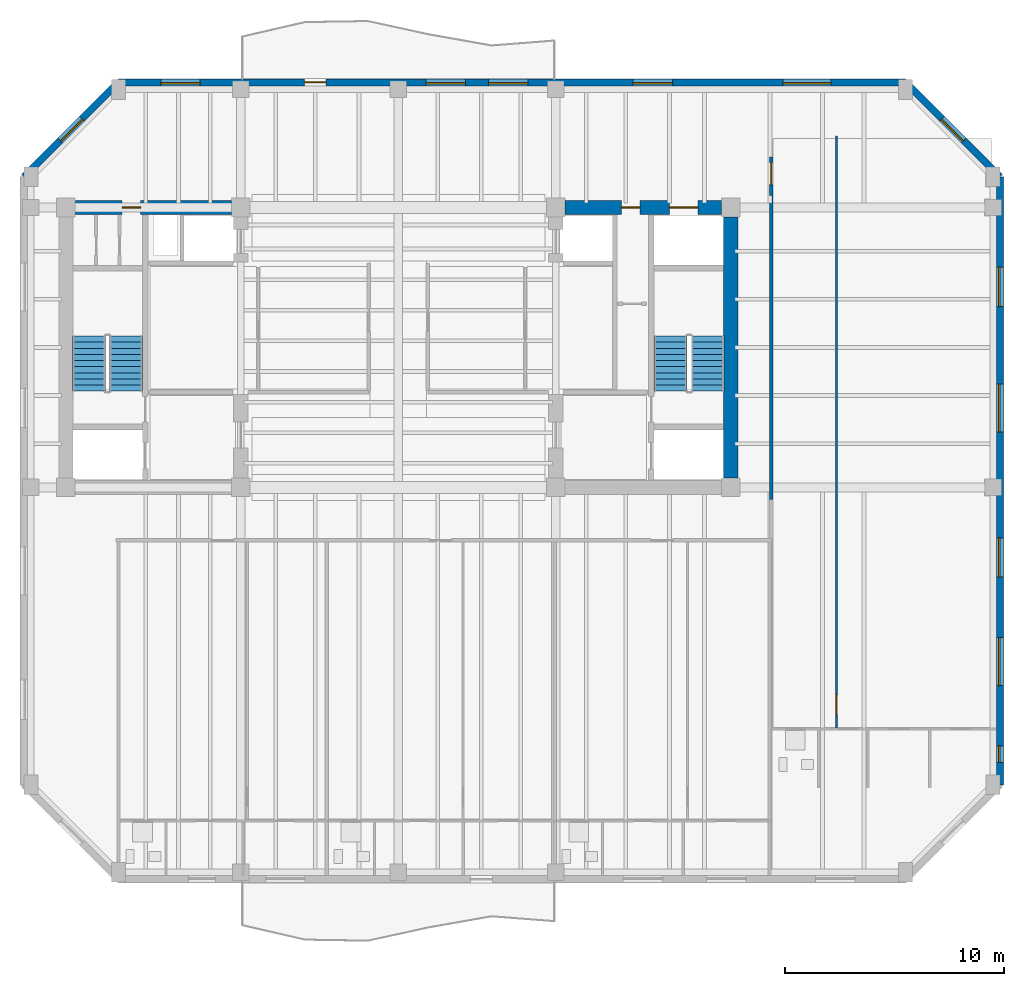
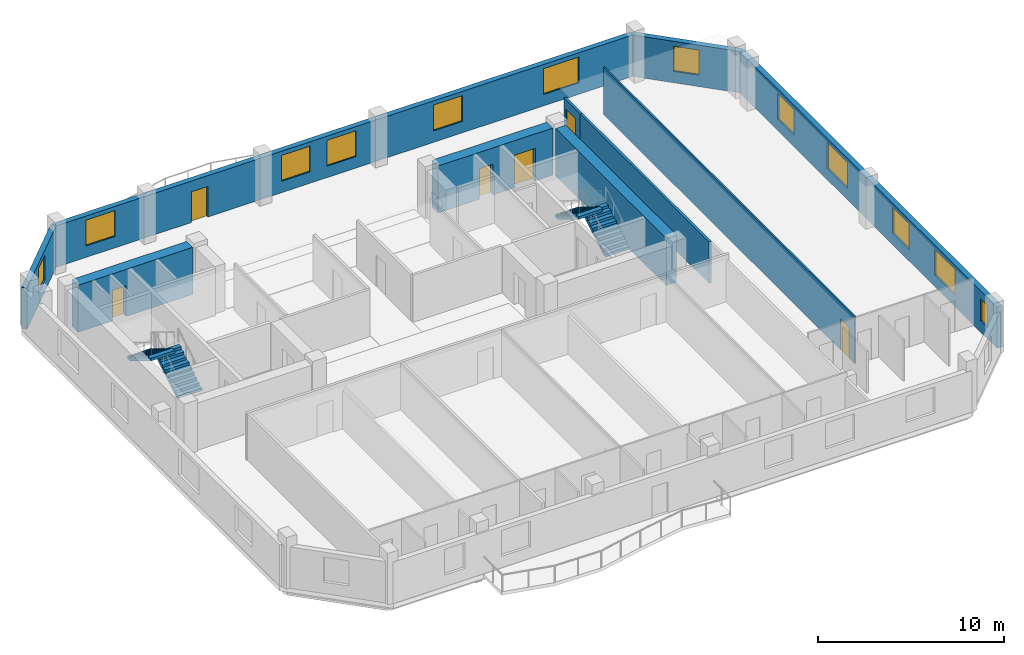
# One storey, part 5 of 9: 12 windows, 10 walls, 6 doors, 4 stair flights, 18 openings, 2 elements without a shape of their own.
"""IFC4 building model written with IfcOpenShell, lengths in metres."""

from ifc_helpers import new_model, si_unit, direction, frame, frame_2d, origin, place, context, subcontext, project, spatial, polyline, rectangle, outline, extrude, material, layer, layer_set, type_object, element, fill, aggregate, save


model = new_model("IFC4")

# Units and contexts
model_context = context("Model", 3, precision=1e-05, world=origin(), true_north=direction((0.0, 1.0)))
body_context = subcontext(model_context, "Body", "Model", "MODEL_VIEW")
ifc_project = project(units=[si_unit("LENGTHUNIT", "METRE"), si_unit("AREAUNIT", "SQUARE_METRE"), si_unit("VOLUMEUNIT", "CUBIC_METRE"), si_unit("PLANEANGLEUNIT", "RADIAN"), si_unit("MASSUNIT", "GRAM", prefix="KILO")], contexts=[model_context])

# Site, building, storey
site_placement = place(None, origin())
site = spatial("IfcSite", under=ifc_project, at=site_placement, CompositionType="ELEMENT")
building_placement = place(site_placement, origin())
building = spatial("IfcBuilding", under=site, at=building_placement, Name="Kranthara Brick Stack", CompositionType="ELEMENT")
storey_placement = place(building_placement, frame((0.0, 0.0, 231.300048828125)))
storey = spatial("IfcBuildingStorey", under=building, at=storey_placement, Name="L60", CompositionType="ELEMENT", Elevation=231.300048828125)

# Wall, opening, window
ifc_material_1 = material(Name="Warm buff clay brick masonry M15", Category="masonry")
ifc_layer_1 = layer(ifc_material_1, 0.320068359375)
ifc_layer_set_1 = layer_set([ifc_layer_1], Name="Warm buff clay brick masonry M15")
wall_type_1 = type_object("IfcWallType", Name="WL-BRK-UPPR-320", PredefinedType="STANDARD", material=ifc_layer_set_1)
wall_1_placement = place(storey_placement, frame((10.8798828125, 35.0, 0.0), z_axis=(0.0, 0.0, 1.0), x_axis=(0.707106781187, 0.707106781187, 0.0)))
wall_1 = element("IfcWall", 1, at=wall_1_placement, inside=storey, type_object=wall_type_1, Name="L60 Exterior Brick Facade Wall NW 1", PredefinedType="STANDARD", context=body_context, shape_type="SweptSolid", body=[
    extrude(rectangle(XDim=6.109619140625, YDim=0.320068359375, at=frame_2d((3.0546875, 0.0))), origin(), (0.0, 0.0, 1.0), 2.724853515625),
])
opening_1_placement = place(wall_1_placement, frame((2.35498046875, 0.0, 0.75)))
opening_1 = element("IfcOpeningElement", 2, at=opening_1_placement, cuts=wall_1, Name="Opening WN10", PredefinedType="OPENING", context=body_context, shape_type="SweptSolid", body=[
    extrude(rectangle(XDim=1.39990234375, YDim=1.64990234375, at=frame_2d((0.699951171875, 0.824951171875))), frame((0.0, 0.169921875, 0.0), z_axis=(0.0, -1.0, 0.0), x_axis=(1.0, 0.0, 0.0)), (0.0, 0.0, 1.0), 0.340087890625),
])
ifc_material_2 = material(Name="Double-glazed low-E solar control glass", Category="glass")
window_type_1 = type_object("IfcWindowType", Name="WN-CHM-1400x1750", PartitioningType="SINGLE_PANEL", PredefinedType="WINDOW", material=ifc_material_2)
window_1_placement = place(opening_1_placement, origin())
window_1 = element("IfcWindow", 3, at=window_1_placement, inside=storey, type_object=window_type_1, Name="L60 NW Chamfer Corner Window", OverallHeight=1.64990234375, OverallWidth=1.39990234375, PartitioningType="SINGLE_PANEL", PredefinedType="WINDOW", context=body_context, shape_type="SweptSolid", body=[
    extrude(rectangle(XDim=1.39990234375, YDim=1.64990234375, at=frame_2d((0.699951171875, 0.824951171875))), frame((0.0, -0.010009765625, 0.0), z_axis=(0.0, -1.0, 0.0), x_axis=(1.0, 0.0, 0.0)), (0.0, 0.0, 1.0), 0.06005859375),
])
fill(opening_1, window_1)

# Wall, openings, door, windows
wall_2_placement = place(storey_placement, frame((15.199951171875, 39.320068359375, 0.0), z_axis=(0.0, 0.0, 1.0), x_axis=(1.0, 0.0, 0.0)))
wall_2 = element("IfcWall", 4, at=wall_2_placement, inside=storey, type_object=wall_type_1, Name="L60 Exterior Brick Facade Wall NORTH 1", PredefinedType="STANDARD", context=body_context, shape_type="SweptSolid", body=[
    extrude(rectangle(XDim=36.0, YDim=0.320068359375, at=frame_2d((18.0, 0.0))), origin(), (0.0, 0.0, 1.0), 2.724853515625),
])
opening_2_placement = place(wall_2_placement, frame((8.5, 0.0, 0.0)))
opening_2 = element("IfcOpeningElement", 5, at=opening_2_placement, cuts=wall_2, Name="Opening D03", PredefinedType="OPENING", context=body_context, shape_type="SweptSolid", body=[
    extrude(rectangle(XDim=1.0, YDim=2.02001953125, at=frame_2d((0.5, 1.010009765625))), frame((0.0, 0.169921875, 0.0), z_axis=(0.0, -1.0, 0.0), x_axis=(1.0, 0.0, 0.0)), (0.0, 0.0, 1.0), 0.340087890625),
])
opening_3_placement = place(wall_2_placement, frame((1.93798828125, 0.0, 0.75)))
opening_3 = element("IfcOpeningElement", 6, at=opening_3_placement, cuts=wall_2, Name="Opening WN07", PredefinedType="OPENING", context=body_context, shape_type="SweptSolid", body=[
    extrude(rectangle(XDim=1.800048828125, YDim=1.699951171875, at=frame_2d((0.89990234375, 0.85009765625))), frame((0.0, 0.169921875, 0.0), z_axis=(0.0, -1.0, 0.0), x_axis=(1.0, 0.0, 0.0)), (0.0, 0.0, 1.0), 0.340087890625),
])
opening_4_placement = place(wall_2_placement, frame((14.072021484375, 0.0, 0.75)))
opening_4 = element("IfcOpeningElement", 7, at=opening_4_placement, cuts=wall_2, Name="Opening WN07", PredefinedType="OPENING", context=body_context, shape_type="SweptSolid", body=[
    extrude(rectangle(XDim=1.800048828125, YDim=1.699951171875, at=frame_2d((0.89990234375, 0.85009765625))), frame((0.0, 0.169921875, 0.0), z_axis=(0.0, -1.0, 0.0), x_axis=(1.0, 0.0, 0.0)), (0.0, 0.0, 1.0), 0.340087890625),
])
opening_5_placement = place(wall_2_placement, frame((16.927978515625, 0.0, 0.75)))
opening_5 = element("IfcOpeningElement", 8, at=opening_5_placement, cuts=wall_2, Name="Opening WN07", PredefinedType="OPENING", context=body_context, shape_type="SweptSolid", body=[
    extrude(rectangle(XDim=1.800048828125, YDim=1.699951171875, at=frame_2d((0.89990234375, 0.85009765625))), frame((0.0, 0.169921875, 0.0), z_axis=(0.0, -1.0, 0.0), x_axis=(1.0, 0.0, 0.0)), (0.0, 0.0, 1.0), 0.340087890625),
])
opening_6_placement = place(wall_2_placement, frame((23.541015625, 0.0, 0.75)))
opening_6 = element("IfcOpeningElement", 9, at=opening_6_placement, cuts=wall_2, Name="Opening WN07", PredefinedType="OPENING", context=body_context, shape_type="SweptSolid", body=[
    extrude(rectangle(XDim=1.800048828125, YDim=1.699951171875, at=frame_2d((0.89990234375, 0.85009765625))), frame((0.0, 0.169921875, 0.0), z_axis=(0.0, -1.0, 0.0), x_axis=(1.0, 0.0, 0.0)), (0.0, 0.0, 1.0), 0.340087890625),
])
opening_7_placement = place(wall_2_placement, frame((30.384033203125, 0.0, 0.75)))
opening_7 = element("IfcOpeningElement", 10, at=opening_7_placement, cuts=wall_2, Name="Opening WN08", PredefinedType="OPENING", context=body_context, shape_type="SweptSolid", body=[
    extrude(rectangle(XDim=2.199951171875, YDim=1.699951171875, at=frame_2d((1.10009765625, 0.85009765625))), frame((0.0, 0.169921875, 0.0), z_axis=(0.0, -1.0, 0.0), x_axis=(1.0, 0.0, 0.0)), (0.0, 0.0, 1.0), 0.340087890625),
])
ifc_material_3 = material(Name="Bronze anodised aluminium and laminated glass", Category="aluminium")
door_type_1 = type_object("IfcDoorType", Name="DR-BALC-1000", OperationType="NOTDEFINED", PredefinedType="DOOR", material=ifc_material_3)
door_1_placement = place(opening_2_placement, origin())
door_1 = element("IfcDoor", 11, at=door_1_placement, inside=storey, type_object=door_type_1, Name="L60 North Balcony Terrace Door", OperationType="SINGLE_SWING_RIGHT", OverallHeight=2.02001953125, OverallWidth=1.0, PredefinedType="DOOR", context=body_context, shape_type="SweptSolid", body=[
    extrude(rectangle(XDim=1.0, YDim=2.02001953125, at=frame_2d((0.5, 1.010009765625))), frame((0.0, 0.02490234375, 0.0), z_axis=(0.0, -1.0, 0.0), x_axis=(1.0, 0.0, 0.0)), (0.0, 0.0, 1.0), 0.050048828125),
])
fill(opening_2, door_1)
ifc_material_4 = material(Name="Double-glazed low-E solar control glass", Category="glass")
window_type_2 = type_object("IfcWindowType", Name="WN-RES-1800x1850", PartitioningType="DOUBLE_PANEL_VERTICAL", PredefinedType="WINDOW", material=ifc_material_4)
window_2_placement = place(opening_3_placement, origin())
window_2 = element("IfcWindow", 12, at=window_2_placement, inside=storey, type_object=window_type_2, Name="L60 North Deep-Set Brick Window 01", OverallHeight=1.699951171875, OverallWidth=1.800048828125, PartitioningType="SINGLE_PANEL", PredefinedType="WINDOW", context=body_context, shape_type="SweptSolid", body=[
    extrude(rectangle(XDim=1.800048828125, YDim=1.699951171875, at=frame_2d((0.89990234375, 0.85009765625))), frame((0.0, -0.010009765625, 0.0), z_axis=(0.0, -1.0, 0.0), x_axis=(1.0, 0.0, 0.0)), (0.0, 0.0, 1.0), 0.06005859375),
])
fill(opening_3, window_2)
window_3_placement = place(opening_4_placement, origin())
window_3 = element("IfcWindow", 13, at=window_3_placement, inside=storey, type_object=window_type_2, Name="L60 North Deep-Set Brick Window 02", OverallHeight=1.699951171875, OverallWidth=1.800048828125, PartitioningType="SINGLE_PANEL", PredefinedType="WINDOW", context=body_context, shape_type="SweptSolid", body=[
    extrude(rectangle(XDim=1.800048828125, YDim=1.699951171875, at=frame_2d((0.89990234375, 0.85009765625))), frame((0.0, -0.010009765625, 0.0), z_axis=(0.0, -1.0, 0.0), x_axis=(1.0, 0.0, 0.0)), (0.0, 0.0, 1.0), 0.06005859375),
])
fill(opening_4, window_3)
window_4_placement = place(opening_5_placement, origin())
window_4 = element("IfcWindow", 14, at=window_4_placement, inside=storey, type_object=window_type_2, Name="L60 North Deep-Set Brick Window 03", OverallHeight=1.699951171875, OverallWidth=1.800048828125, PartitioningType="SINGLE_PANEL", PredefinedType="WINDOW", context=body_context, shape_type="SweptSolid", body=[
    extrude(rectangle(XDim=1.800048828125, YDim=1.699951171875, at=frame_2d((0.89990234375, 0.85009765625))), frame((0.0, -0.010009765625, 0.0), z_axis=(0.0, -1.0, 0.0), x_axis=(1.0, 0.0, 0.0)), (0.0, 0.0, 1.0), 0.06005859375),
])
fill(opening_5, window_4)
window_5_placement = place(opening_6_placement, origin())
window_5 = element("IfcWindow", 15, at=window_5_placement, inside=storey, type_object=window_type_2, Name="L60 North Deep-Set Brick Window 04", OverallHeight=1.699951171875, OverallWidth=1.800048828125, PartitioningType="SINGLE_PANEL", PredefinedType="WINDOW", context=body_context, shape_type="SweptSolid", body=[
    extrude(rectangle(XDim=1.800048828125, YDim=1.699951171875, at=frame_2d((0.89990234375, 0.85009765625))), frame((0.0, -0.010009765625, 0.0), z_axis=(0.0, -1.0, 0.0), x_axis=(1.0, 0.0, 0.0)), (0.0, 0.0, 1.0), 0.06005859375),
])
fill(opening_6, window_5)
ifc_material_5 = material(Name="Double-glazed low-E solar control glass", Category="glass")
window_type_3 = type_object("IfcWindowType", Name="WN-RES-2200x1850", PartitioningType="TRIPLE_PANEL_VERTICAL", PredefinedType="WINDOW", material=ifc_material_5)
window_6_placement = place(opening_7_placement, origin())
window_6 = element("IfcWindow", 16, at=window_6_placement, inside=storey, type_object=window_type_3, Name="L60 North Deep-Set Brick Window 05", OverallHeight=1.699951171875, OverallWidth=2.199951171875, PartitioningType="SINGLE_PANEL", PredefinedType="WINDOW", context=body_context, shape_type="SweptSolid", body=[
    extrude(rectangle(XDim=2.199951171875, YDim=1.699951171875, at=frame_2d((1.10009765625, 0.85009765625))), frame((0.0, -0.010009765625, 0.0), z_axis=(0.0, -1.0, 0.0), x_axis=(1.0, 0.0, 0.0)), (0.0, 0.0, 1.0), 0.06005859375),
])
fill(opening_7, window_6)

# Wall, opening, window
wall_3_placement = place(storey_placement, frame((51.199951171875, 39.320068359375, 0.0), z_axis=(0.0, 0.0, 1.0), x_axis=(0.707106781187, -0.707106781187, 0.0)))
wall_3 = element("IfcWall", 17, at=wall_3_placement, inside=storey, type_object=wall_type_1, Name="L60 Exterior Brick Facade Wall NE 1", PredefinedType="STANDARD", context=body_context, shape_type="SweptSolid", body=[
    extrude(rectangle(XDim=6.109619140625, YDim=0.320068359375, at=frame_2d((3.0546875, 0.0))), origin(), (0.0, 0.0, 1.0), 2.724853515625),
])
opening_8_placement = place(wall_3_placement, frame((2.35498046875, 0.0, 0.75)))
opening_8 = element("IfcOpeningElement", 18, at=opening_8_placement, cuts=wall_3, Name="Opening WN10", PredefinedType="OPENING", context=body_context, shape_type="SweptSolid", body=[
    extrude(rectangle(XDim=1.39990234375, YDim=1.64990234375, at=frame_2d((0.699951171875, 0.824951171875))), frame((0.0, 0.169921875, 0.0), z_axis=(0.0, -1.0, 0.0), x_axis=(1.0, 0.0, 0.0)), (0.0, 0.0, 1.0), 0.340087890625),
])
window_7_placement = place(opening_8_placement, origin())
window_7 = element("IfcWindow", 19, at=window_7_placement, inside=storey, type_object=window_type_1, Name="L60 NE Chamfer Corner Window", OverallHeight=1.64990234375, OverallWidth=1.39990234375, PartitioningType="SINGLE_PANEL", PredefinedType="WINDOW", context=body_context, shape_type="SweptSolid", body=[
    extrude(rectangle(XDim=1.39990234375, YDim=1.64990234375, at=frame_2d((0.699951171875, 0.824951171875))), frame((0.0, -0.010009765625, 0.0), z_axis=(0.0, -1.0, 0.0), x_axis=(1.0, 0.0, 0.0)), (0.0, 0.0, 1.0), 0.06005859375),
])
fill(opening_8, window_7)

# Wall, openings, windows
wall_4_placement = place(storey_placement, frame((55.52001953125, 35.0, 0.0), z_axis=(0.0, 0.0, 1.0), x_axis=(0.0, -1.0, 0.0)))
wall_4 = element("IfcWall", 20, at=wall_4_placement, inside=storey, type_object=wall_type_1, Name="L60 Exterior Brick Facade Wall EAST 1", PredefinedType="STANDARD", context=body_context, shape_type="SweptSolid", body=[
    extrude(rectangle(XDim=27.800048828125, YDim=0.320068359375, at=frame_2d((13.89990234375, 0.0))), origin(), (0.0, 0.0, 1.0), 2.724853515625),
])
opening_9_placement = place(wall_4_placement, frame((4.1279296875, 0.0, 0.75)))
opening_9 = element("IfcOpeningElement", 21, at=opening_9_placement, cuts=wall_4, Name="Opening WN07", PredefinedType="OPENING", context=body_context, shape_type="SweptSolid", body=[
    extrude(rectangle(XDim=1.800048828125, YDim=1.699951171875, at=frame_2d((0.89990234375, 0.85009765625))), frame((0.0, 0.169921875, 0.0), z_axis=(0.0, -1.0, 0.0), x_axis=(1.0, 0.0, 0.0)), (0.0, 0.0, 1.0), 0.340087890625),
])
opening_10_placement = place(wall_4_placement, frame((9.471923828125, 0.0, 0.75)))
opening_10 = element("IfcOpeningElement", 22, at=opening_10_placement, cuts=wall_4, Name="Opening WN08", PredefinedType="OPENING", context=body_context, shape_type="SweptSolid", body=[
    extrude(rectangle(XDim=2.199951171875, YDim=1.699951171875, at=frame_2d((1.10009765625, 0.85009765625))), frame((0.0, 0.169921875, 0.0), z_axis=(0.0, -1.0, 0.0), x_axis=(1.0, 0.0, 0.0)), (0.0, 0.0, 1.0), 0.340087890625),
])
opening_11_placement = place(wall_4_placement, frame((16.506103515625, 0.0, 0.75)))
opening_11 = element("IfcOpeningElement", 23, at=opening_11_placement, cuts=wall_4, Name="Opening WN07", PredefinedType="OPENING", context=body_context, shape_type="SweptSolid", body=[
    extrude(rectangle(XDim=1.800048828125, YDim=1.699951171875, at=frame_2d((0.89990234375, 0.85009765625))), frame((0.0, 0.169921875, 0.0), z_axis=(0.0, -1.0, 0.0), x_axis=(1.0, 0.0, 0.0)), (0.0, 0.0, 1.0), 0.340087890625),
])
opening_12_placement = place(wall_4_placement, frame((21.069091796875, 0.0, 0.75)))
opening_12 = element("IfcOpeningElement", 24, at=opening_12_placement, cuts=wall_4, Name="Opening WN08", PredefinedType="OPENING", context=body_context, shape_type="SweptSolid", body=[
    extrude(rectangle(XDim=2.199951171875, YDim=1.699951171875, at=frame_2d((1.10009765625, 0.85009765625))), frame((0.0, 0.169921875, 0.0), z_axis=(0.0, -1.0, 0.0), x_axis=(1.0, 0.0, 0.0)), (0.0, 0.0, 1.0), 0.340087890625),
])
opening_13_placement = place(wall_4_placement, frame((26.02490234375, 0.0, 0.75)))
opening_13 = element("IfcOpeningElement", 25, at=opening_13_placement, cuts=wall_4, Name="Opening WN13", PredefinedType="OPENING", context=body_context, shape_type="SweptSolid", body=[
    extrude(rectangle(XDim=0.75, YDim=1.449951171875, at=frame_2d((0.375, 0.72509765625))), frame((0.0, 0.169921875, 0.0), z_axis=(0.0, -1.0, 0.0), x_axis=(1.0, 0.0, 0.0)), (0.0, 0.0, 1.0), 0.340087890625),
])
ifc_material_6 = material(Name="Double-glazed low-E solar control glass", Category="glass")
window_type_4 = type_object("IfcWindowType", Name="WN-CAS-750x1450", PartitioningType="SINGLE_PANEL", PredefinedType="WINDOW", material=ifc_material_6)
window_8_placement = place(opening_13_placement, origin())
window_8 = element("IfcWindow", 26, at=window_8_placement, inside=storey, type_object=window_type_4, Name="L60 East Deep-Set Casement Window 05", OverallHeight=1.449951171875, OverallWidth=0.75, PartitioningType="SINGLE_PANEL", PredefinedType="WINDOW", context=body_context, shape_type="SweptSolid", body=[
    extrude(rectangle(XDim=0.75, YDim=1.449951171875, at=frame_2d((0.375, 0.72509765625))), frame((0.0, -0.010009765625, 0.0), z_axis=(0.0, -1.0, 0.0), x_axis=(1.0, 0.0, 0.0)), (0.0, 0.0, 1.0), 0.06005859375),
])
fill(opening_13, window_8)
window_9_placement = place(opening_9_placement, origin())
window_9 = element("IfcWindow", 27, at=window_9_placement, inside=storey, type_object=window_type_2, Name="L60 East Deep-Set Brick Window 01", OverallHeight=1.699951171875, OverallWidth=1.800048828125, PartitioningType="SINGLE_PANEL", PredefinedType="WINDOW", context=body_context, shape_type="SweptSolid", body=[
    extrude(rectangle(XDim=1.800048828125, YDim=1.699951171875, at=frame_2d((0.89990234375, 0.85009765625))), frame((0.0, -0.010009765625, 0.0), z_axis=(0.0, -1.0, 0.0), x_axis=(1.0, 0.0, 0.0)), (0.0, 0.0, 1.0), 0.06005859375),
])
fill(opening_9, window_9)
window_10_placement = place(opening_11_placement, origin())
window_10 = element("IfcWindow", 28, at=window_10_placement, inside=storey, type_object=window_type_2, Name="L60 East Deep-Set Brick Window 03", OverallHeight=1.699951171875, OverallWidth=1.800048828125, PartitioningType="SINGLE_PANEL", PredefinedType="WINDOW", context=body_context, shape_type="SweptSolid", body=[
    extrude(rectangle(XDim=1.800048828125, YDim=1.699951171875, at=frame_2d((0.89990234375, 0.85009765625))), frame((0.0, -0.010009765625, 0.0), z_axis=(0.0, -1.0, 0.0), x_axis=(1.0, 0.0, 0.0)), (0.0, 0.0, 1.0), 0.06005859375),
])
fill(opening_11, window_10)
window_11_placement = place(opening_10_placement, origin())
window_11 = element("IfcWindow", 29, at=window_11_placement, inside=storey, type_object=window_type_3, Name="L60 East Deep-Set Brick Window 02", OverallHeight=1.699951171875, OverallWidth=2.199951171875, PartitioningType="SINGLE_PANEL", PredefinedType="WINDOW", context=body_context, shape_type="SweptSolid", body=[
    extrude(rectangle(XDim=2.199951171875, YDim=1.699951171875, at=frame_2d((1.10009765625, 0.85009765625))), frame((0.0, -0.010009765625, 0.0), z_axis=(0.0, -1.0, 0.0), x_axis=(1.0, 0.0, 0.0)), (0.0, 0.0, 1.0), 0.06005859375),
])
fill(opening_10, window_11)
window_12_placement = place(opening_12_placement, origin())
window_12 = element("IfcWindow", 30, at=window_12_placement, inside=storey, type_object=window_type_3, Name="L60 East Deep-Set Brick Window 04", OverallHeight=1.699951171875, OverallWidth=2.199951171875, PartitioningType="SINGLE_PANEL", PredefinedType="WINDOW", context=body_context, shape_type="SweptSolid", body=[
    extrude(rectangle(XDim=2.199951171875, YDim=1.699951171875, at=frame_2d((1.10009765625, 0.85009765625))), frame((0.0, -0.010009765625, 0.0), z_axis=(0.0, -1.0, 0.0), x_axis=(1.0, 0.0, 0.0)), (0.0, 0.0, 1.0), 0.06005859375),
])
fill(opening_12, window_12)

# Wall, opening, door
ifc_material_7 = material(Name="Concrete C60/75", Category="concrete")
ifc_layer_2 = layer(ifc_material_7, 0.64990234375)
ifc_layer_set_2 = layer_set([ifc_layer_2], Name="Concrete C60/75")
wall_type_2 = type_object("IfcWallType", Name="WL-CORE-650", PredefinedType="SHEAR", material=ifc_layer_set_2)
wall_5_placement = place(storey_placement, frame((13.22998046875, 33.60009765625, 0.0), z_axis=(0.0, 0.0, 1.0), x_axis=(1.0, 0.0, 0.0)))
wall_5 = element("IfcWall", 31, at=wall_5_placement, inside=storey, type_object=wall_type_2, Name="L60 West Core Shear Wall North", PredefinedType="SHEAR", context=body_context, shape_type="SweptSolid", body=[
    extrude(rectangle(XDim=7.14013671875, YDim=0.64990234375, at=frame_2d((3.570068359375, 0.0))), origin(), (0.0, 0.0, 1.0), 3.099853515625),
])
opening_14_placement = place(wall_5_placement, frame((2.139892578125, 0.0, 0.0)))
opening_14 = element("IfcOpeningElement", 32, at=opening_14_placement, cuts=wall_5, Name="Opening D10", PredefinedType="OPENING", context=body_context, shape_type="SweptSolid", body=[
    extrude(rectangle(XDim=0.85009765625, YDim=2.02001953125, at=frame_2d((0.425048828125, 1.010009765625))), frame((0.0, 0.3349609375, 0.0), z_axis=(0.0, -1.0, 0.0), x_axis=(1.0, 0.0, 0.0)), (0.0, 0.0, 1.0), 0.669921875),
])
ifc_material_8 = material(Name="Solid-core hardwood timber leaf in steel frame", Category="steel")
door_type_2 = type_object("IfcDoorType", Name="DR-RSR-850", OperationType="NOTDEFINED", PredefinedType="DOOR", material=ifc_material_8)
door_2_placement = place(opening_14_placement, origin())
door_2 = element("IfcDoor", 33, at=door_2_placement, inside=storey, type_object=door_type_2, Name="L60 West Core Service Door 1", OperationType="SINGLE_SWING_RIGHT", OverallHeight=2.02001953125, OverallWidth=0.85009765625, PredefinedType="DOOR", context=body_context, shape_type="SweptSolid", body=[
    extrude(rectangle(XDim=0.85009765625, YDim=2.02001953125, at=frame_2d((0.425048828125, 1.010009765625))), frame((0.0, 0.02490234375, 0.0), z_axis=(0.0, -1.0, 0.0), x_axis=(1.0, 0.0, 0.0)), (0.0, 0.0, 1.0), 0.050048828125),
])
fill(opening_14, door_2)

# Wall
wall_6_placement = place(storey_placement, frame((43.199951171875, 21.22998046875, 0.0), z_axis=(0.0, 0.0, 1.0), x_axis=(0.0, 1.0, 0.0)))
element("IfcWall", 34, at=wall_6_placement, inside=storey, type_object=wall_type_2, Name="L60 East Core Shear Wall East", PredefinedType="SHEAR", context=body_context, shape_type="SweptSolid", body=[
    extrude(rectangle(XDim=11.93994140625, YDim=0.64990234375, at=frame_2d((5.969970703125, 0.0))), origin(), (0.0, 0.0, 1.0), 3.099853515625),
])

# Wall, openings, doors
wall_7_placement = place(storey_placement, frame((35.6298828125, 33.60009765625, 0.0), z_axis=(0.0, 0.0, 1.0), x_axis=(1.0, 0.0, 0.0)))
wall_7 = element("IfcWall", 35, at=wall_7_placement, inside=storey, type_object=wall_type_2, Name="L60 East Core Shear Wall North", PredefinedType="SHEAR", context=body_context, shape_type="SweptSolid", body=[
    extrude(rectangle(XDim=7.14013671875, YDim=0.64990234375, at=frame_2d((3.570068359375, 0.0))), origin(), (0.0, 0.0, 1.0), 3.099853515625),
])
opening_15_placement = place(wall_7_placement, frame((4.77001953125, 0.0, 0.0)))
opening_15 = element("IfcOpeningElement", 36, at=opening_15_placement, cuts=wall_7, Name="Opening LD03", PredefinedType="OPENING", context=body_context, shape_type="SweptSolid", body=[
    extrude(rectangle(XDim=1.300048828125, YDim=2.14990234375, at=frame_2d((0.64990234375, 1.074951171875))), frame((0.0, 0.3349609375, 0.0), z_axis=(0.0, -1.0, 0.0), x_axis=(1.0, 0.0, 0.0)), (0.0, 0.0, 1.0), 0.669921875),
])
opening_16_placement = place(wall_7_placement, frame((2.570068359375, 0.0, 0.0)))
opening_16 = element("IfcOpeningElement", 37, at=opening_16_placement, cuts=wall_7, Name="Opening D10", PredefinedType="OPENING", context=body_context, shape_type="SweptSolid", body=[
    extrude(rectangle(XDim=0.85009765625, YDim=2.02001953125, at=frame_2d((0.425048828125, 1.010009765625))), frame((0.0, 0.3349609375, 0.0), z_axis=(0.0, -1.0, 0.0), x_axis=(1.0, 0.0, 0.0)), (0.0, 0.0, 1.0), 0.669921875),
])
ifc_material_9 = material(Name="Stainless steel sliding landing door", Category="steel")
door_type_3 = type_object("IfcDoorType", Name="DR-LD-SV1300", OperationType="DOUBLE_DOOR_SLIDING", PredefinedType="DOOR", material=ifc_material_9)
door_3_placement = place(opening_15_placement, origin())
door_3 = element("IfcDoor", 38, at=door_3_placement, inside=storey, type_object=door_type_3, Name="L60 Stretcher Service Lift SV-01 Landing Door", OperationType="DOUBLE_DOOR_SLIDING", OverallHeight=2.14990234375, OverallWidth=1.300048828125, PredefinedType="DOOR", context=body_context, shape_type="SweptSolid", body=[
    extrude(rectangle(XDim=1.300048828125, YDim=2.14990234375, at=frame_2d((0.64990234375, 1.074951171875))), frame((0.0, 0.02490234375, 0.0), z_axis=(0.0, -1.0, 0.0), x_axis=(1.0, 0.0, 0.0)), (0.0, 0.0, 1.0), 0.050048828125),
])
fill(opening_15, door_3)
door_4_placement = place(opening_16_placement, origin())
door_4 = element("IfcDoor", 39, at=door_4_placement, inside=storey, type_object=door_type_2, Name="L60 East Core Service Room Door", OperationType="SINGLE_SWING_LEFT", OverallHeight=2.02001953125, OverallWidth=0.85009765625, PredefinedType="DOOR", context=body_context, shape_type="SweptSolid", body=[
    extrude(rectangle(XDim=0.85009765625, YDim=2.02001953125, at=frame_2d((0.425048828125, 1.010009765625))), frame((0.0, 0.02490234375, 0.0), z_axis=(0.0, -1.0, 0.0), x_axis=(1.0, 0.0, 0.0)), (0.0, 0.0, 1.0), 0.050048828125),
])
fill(opening_16, door_4)

# Wall, opening, door
ifc_material_10 = material(Name="Moisture-resistant wet-room partition", Category="other")
ifc_layer_3 = layer(ifc_material_10, 0.10009765625)
ifc_layer_set_3 = layer_set([ifc_layer_3], Name="Moisture-resistant wet-room partition")
wall_type_3 = type_object("IfcWallType", Name="WL-PART-100", PredefinedType="PARTITIONING", material=ifc_layer_set_3)
wall_8_placement = place(storey_placement, frame((48.037109375, 9.804931640625, 0.0), z_axis=(0.0, 0.0, 1.0), x_axis=(0.0, 1.0, 0.0)))
wall_8 = element("IfcWall", 40, at=wall_8_placement, inside=storey, type_object=wall_type_3, Name="L60 Interior Partition 033", PredefinedType="PARTITIONING", context=body_context, shape_type="SweptSolid", body=[
    extrude(rectangle(XDim=27.065185546875, YDim=0.10009765625, at=frame_2d((13.53271484375, 0.0))), origin(), (0.0, 0.0, 1.0), 3.099853515625),
])
opening_17_placement = place(wall_8_placement, frame((0.60498046875, 0.0, 0.0)))
opening_17 = element("IfcOpeningElement", 41, at=opening_17_placement, cuts=wall_8, Name="Opening D15", PredefinedType="OPENING", context=body_context, shape_type="SweptSolid", body=[
    extrude(rectangle(XDim=0.89990234375, YDim=2.050048828125, at=frame_2d((0.449951171875, 1.02490234375))), frame((0.0, 0.06005859375, 0.0), z_axis=(0.0, -1.0, 0.0), x_axis=(1.0, 0.0, 0.0)), (0.0, 0.0, 1.0), 0.1201171875),
])
ifc_material_11 = material(Name="Solid-core hardwood timber leaf in steel frame", Category="steel")
door_type_4 = type_object("IfcDoorType", Name="DR-INT-900", OperationType="NOTDEFINED", PredefinedType="DOOR", material=ifc_material_11)
door_5_placement = place(opening_17_placement, origin())
door_5 = element("IfcDoor", 42, at=door_5_placement, inside=storey, type_object=door_type_4, Name="L60 Unit L60D Study 24", OperationType="SINGLE_SWING_RIGHT", OverallHeight=2.050048828125, OverallWidth=0.89990234375, PredefinedType="DOOR", context=body_context, shape_type="SweptSolid", body=[
    extrude(rectangle(XDim=0.89990234375, YDim=2.050048828125, at=frame_2d((0.449951171875, 1.02490234375))), frame((0.0, 0.02490234375, 0.0), z_axis=(0.0, -1.0, 0.0), x_axis=(1.0, 0.0, 0.0)), (0.0, 0.0, 1.0), 0.050048828125),
])
fill(opening_17, door_5)

# Wall
ifc_material_12 = material(Name="Fire-rated gypsum board partition", Category="other")
ifc_layer_4 = layer(ifc_material_12, 0.14990234375)
ifc_layer_set_4 = layer_set([ifc_layer_4], Name="Fire-rated gypsum board partition")
wall_type_4 = type_object("IfcWallType", Name="WL-PART-150", PredefinedType="PARTITIONING", material=ifc_layer_set_4)
wall_9_placement = place(storey_placement, frame((45.050048828125, 20.25, 0.0), z_axis=(0.0, 0.0, 1.0), x_axis=(0.0, 1.0, 0.0)))
element("IfcWall", 43, at=wall_9_placement, inside=storey, type_object=wall_type_4, Name="L60 Interior Partition 029", PredefinedType="PARTITIONING", context=body_context, shape_type="SweptSolid", body=[
    extrude(rectangle(XDim=13.89990234375, YDim=0.14990234375, at=frame_2d((6.949951171875, 0.0))), origin(), (0.0, 0.0, 1.0), 2.724853515625),
])

# Wall, opening, door
wall_10_placement = place(storey_placement, frame((45.050048828125, 34.14990234375, 0.0), z_axis=(0.0, 0.0, 1.0), x_axis=(0.0, 1.0, 0.0)))
wall_10 = element("IfcWall", 44, at=wall_10_placement, inside=storey, type_object=wall_type_4, Name="L60 Interior Partition 030", PredefinedType="PARTITIONING", context=body_context, shape_type="SweptSolid", body=[
    extrude(rectangle(XDim=1.75, YDim=0.14990234375, at=frame_2d((0.875, 0.0))), origin(), (0.0, 0.0, 1.0), 2.724853515625),
])
opening_18_placement = place(wall_10_placement, frame((0.5, 0.0, 0.0)))
opening_18 = element("IfcOpeningElement", 45, at=opening_18_placement, cuts=wall_10, Name="Opening D08", PredefinedType="OPENING", context=body_context, shape_type="SweptSolid", body=[
    extrude(rectangle(XDim=1.0, YDim=2.10009765625, at=frame_2d((0.5, 1.050048828125))), frame((0.0, 0.0849609375, 0.0), z_axis=(0.0, -1.0, 0.0), x_axis=(1.0, 0.0, 0.0)), (0.0, 0.0, 1.0), 0.169921875),
])
ifc_material_13 = material(Name="Solid-core hardwood timber leaf in steel frame", Category="steel")
door_type_5 = type_object("IfcDoorType", Name="DR-FD-1000", OperationType="NOTDEFINED", PredefinedType="DOOR", material=ifc_material_13)
door_6_placement = place(opening_18_placement, origin())
door_6 = element("IfcDoor", 46, at=door_6_placement, inside=storey, type_object=door_type_5, Name="L60 Unit L60D Entrance 23", OperationType="SINGLE_SWING_LEFT", OverallHeight=2.10009765625, OverallWidth=1.0, PredefinedType="DOOR", context=body_context, shape_type="SweptSolid", body=[
    extrude(rectangle(XDim=1.0, YDim=2.10009765625, at=frame_2d((0.5, 1.050048828125))), frame((0.0, 0.02490234375, 0.0), z_axis=(0.0, -1.0, 0.0), x_axis=(1.0, 0.0, 0.0)), (0.0, 0.0, 1.0), 0.050048828125),
])
fill(opening_18, door_6)

# Stair, stair flights
ifc_material_14 = material(Name="Concrete C45/55", Category="concrete")
stair_type = type_object("IfcStairType", Name="ST-CORE-20R", PredefinedType="HALF_TURN_STAIR", material=ifc_material_14)
stair_1_placement = place(storey_placement, origin())
stair_1 = element("IfcStair", 47, at=stair_1_placement, inside=storey, type_object=stair_type, Name="L60 West Core Protected Exit Stair ST01", PredefinedType="HALF_TURN_STAIR")
ifc_material_15 = material(Name="Concrete C45/55", Category="concrete")
stair_flight_type = type_object("IfcStairFlightType", Name="SFL-RC-20R", PredefinedType="STRAIGHT", material=ifc_material_15)
stair_flight_1_placement = place(storey_placement, frame((15.550048828125, 25.199951171875, 0.0), z_axis=(0.0, 0.0, 1.0), x_axis=(0.0, 1.0, 0.0)))
stair_flight_1 = element("IfcStairFlight", 48, at=stair_flight_1_placement, type_object=stair_flight_type, Name="ST01 flight 1", NumberOfRisers=10, NumberOfTreads=9, PredefinedType="STRAIGHT", RiserHeight=0.17, TreadLength=0.28, context=body_context, shape_type="SweptSolid", body=[
    extrude(outline(polyline([(0.0, 0.0), (0.0, 0.169921875), (0.280029296875, 0.169921875), (0.280029296875, 0.340087890625), (0.56005859375, 0.340087890625), (0.56005859375, 0.510009765625), (0.840087890625, 0.510009765625), (0.840087890625, 0.679931640625), (1.1201171875, 0.679931640625), (1.1201171875, 0.85009765625), (1.39990234375, 0.85009765625), (1.39990234375, 1.02001953125), (1.679931640625, 1.02001953125), (1.679931640625, 1.18994140625), (1.9599609375, 1.18994140625), (1.9599609375, 1.360107421875), (2.239990234375, 1.360107421875), (2.239990234375, 1.530029296875), (2.52001953125, 1.530029296875), (2.52001953125, 1.699951171875), (2.52001953125, 1.354736328125), (0.288818359375, 0.0), (0.0, 0.0)])), frame((0.0, 0.75, 0.0), z_axis=(0.0, -1.0, 0.0), x_axis=(1.0, 0.0, 0.0)), (0.0, 0.0, 1.0), 1.5),
])
stair_flight_2_placement = place(storey_placement, frame((13.85009765625, 27.719970703125, 1.699951171875), z_axis=(0.0, 0.0, 1.0), x_axis=(0.0, -1.0, 0.0)))
stair_flight_2 = element("IfcStairFlight", 49, at=stair_flight_2_placement, type_object=stair_flight_type, Name="ST01 flight 2", NumberOfRisers=10, NumberOfTreads=9, PredefinedType="STRAIGHT", RiserHeight=0.17, TreadLength=0.28, context=body_context, shape_type="SweptSolid", body=[
    extrude(outline(polyline([(0.0, 0.0), (0.0, 0.169921875), (0.280029296875, 0.169921875), (0.280029296875, 0.340087890625), (0.56005859375, 0.340087890625), (0.56005859375, 0.510009765625), (0.840087890625, 0.510009765625), (0.840087890625, 0.679931640625), (1.1201171875, 0.679931640625), (1.1201171875, 0.85009765625), (1.39990234375, 0.85009765625), (1.39990234375, 1.02001953125), (1.679931640625, 1.02001953125), (1.679931640625, 1.18994140625), (1.9599609375, 1.18994140625), (1.9599609375, 1.360107421875), (2.239990234375, 1.360107421875), (2.239990234375, 1.530029296875), (2.52001953125, 1.530029296875), (2.52001953125, 1.699951171875), (2.52001953125, 1.354736328125), (0.288818359375, 0.0), (0.0, 0.0)])), frame((0.0, 0.75, 0.0), z_axis=(0.0, -1.0, 0.0), x_axis=(1.0, 0.0, 0.0)), (0.0, 0.0, 1.0), 1.5),
])
aggregate(stair_1, [stair_flight_1, stair_flight_2])

stair_2_placement = place(storey_placement, origin())
stair_2 = element("IfcStair", 50, at=stair_2_placement, inside=storey, type_object=stair_type, Name="L60 East Core Protected Exit Stair ST02", PredefinedType="HALF_TURN_STAIR")
stair_flight_3_placement = place(storey_placement, frame((42.14990234375, 25.199951171875, 0.0), z_axis=(0.0, 0.0, 1.0), x_axis=(0.0, 1.0, 0.0)))
stair_flight_3 = element("IfcStairFlight", 51, at=stair_flight_3_placement, type_object=stair_flight_type, Name="ST02 flight 1", NumberOfRisers=10, NumberOfTreads=9, PredefinedType="STRAIGHT", RiserHeight=0.17, TreadLength=0.28, context=body_context, shape_type="SweptSolid", body=[
    extrude(outline(polyline([(0.0, 0.0), (0.0, 0.169921875), (0.280029296875, 0.169921875), (0.280029296875, 0.340087890625), (0.56005859375, 0.340087890625), (0.56005859375, 0.510009765625), (0.840087890625, 0.510009765625), (0.840087890625, 0.679931640625), (1.1201171875, 0.679931640625), (1.1201171875, 0.85009765625), (1.39990234375, 0.85009765625), (1.39990234375, 1.02001953125), (1.679931640625, 1.02001953125), (1.679931640625, 1.18994140625), (1.9599609375, 1.18994140625), (1.9599609375, 1.360107421875), (2.239990234375, 1.360107421875), (2.239990234375, 1.530029296875), (2.52001953125, 1.530029296875), (2.52001953125, 1.699951171875), (2.52001953125, 1.354736328125), (0.288818359375, 0.0), (0.0, 0.0)])), frame((0.0, 0.75, 0.0), z_axis=(0.0, -1.0, 0.0), x_axis=(1.0, 0.0, 0.0)), (0.0, 0.0, 1.0), 1.5),
])
stair_flight_4_placement = place(storey_placement, frame((40.449951171875, 27.719970703125, 1.699951171875), z_axis=(0.0, 0.0, 1.0), x_axis=(0.0, -1.0, 0.0)))
stair_flight_4 = element("IfcStairFlight", 52, at=stair_flight_4_placement, type_object=stair_flight_type, Name="ST02 flight 2", NumberOfRisers=10, NumberOfTreads=9, PredefinedType="STRAIGHT", RiserHeight=0.17, TreadLength=0.28, context=body_context, shape_type="SweptSolid", body=[
    extrude(outline(polyline([(0.0, 0.0), (0.0, 0.169921875), (0.280029296875, 0.169921875), (0.280029296875, 0.340087890625), (0.56005859375, 0.340087890625), (0.56005859375, 0.510009765625), (0.840087890625, 0.510009765625), (0.840087890625, 0.679931640625), (1.1201171875, 0.679931640625), (1.1201171875, 0.85009765625), (1.39990234375, 0.85009765625), (1.39990234375, 1.02001953125), (1.679931640625, 1.02001953125), (1.679931640625, 1.18994140625), (1.9599609375, 1.18994140625), (1.9599609375, 1.360107421875), (2.239990234375, 1.360107421875), (2.239990234375, 1.530029296875), (2.52001953125, 1.530029296875), (2.52001953125, 1.699951171875), (2.52001953125, 1.354736328125), (0.288818359375, 0.0), (0.0, 0.0)])), frame((0.0, 0.75, 0.0), z_axis=(0.0, -1.0, 0.0), x_axis=(1.0, 0.0, 0.0)), (0.0, 0.0, 1.0), 1.5),
])
aggregate(stair_2, [stair_flight_3, stair_flight_4])

save(model, "model.ifc")
